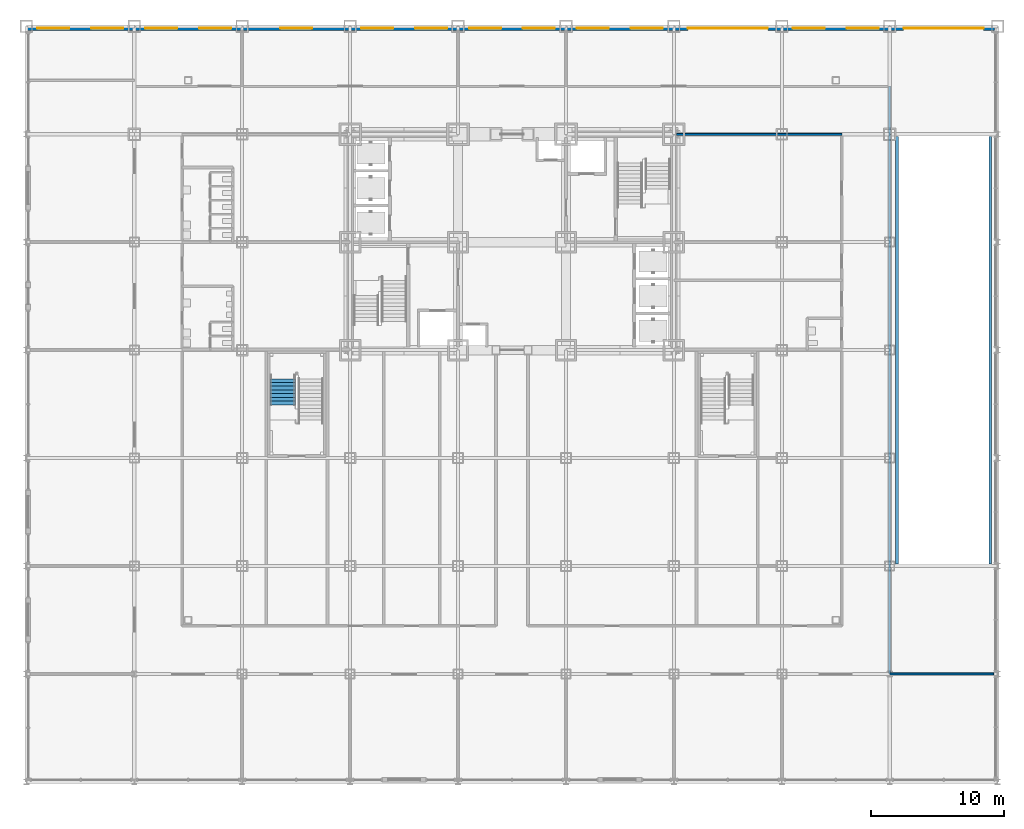
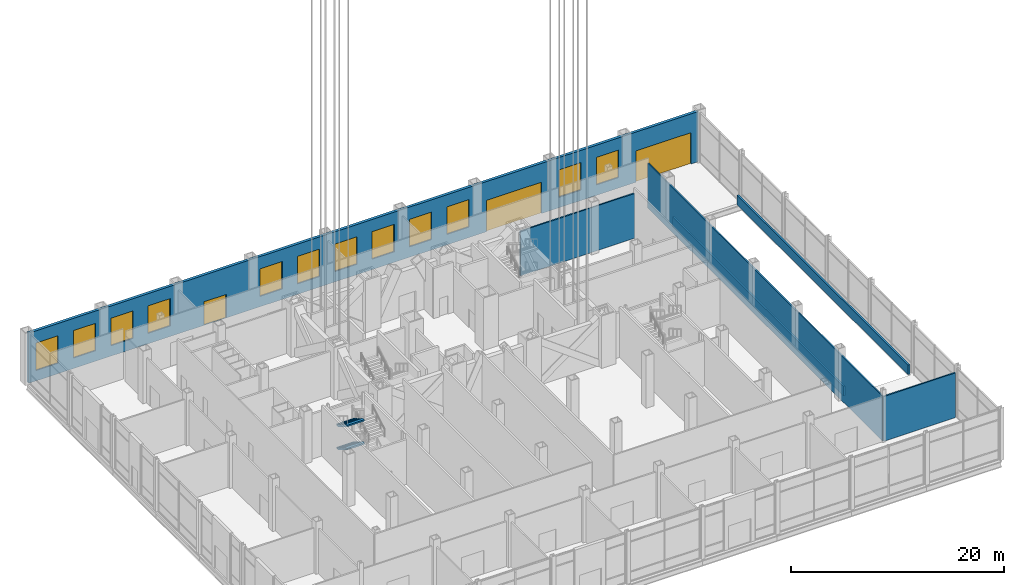
# One storey, part 26 of 35: 12 windows, 6 walls, 3 doors, 2 stair flights, 15 openings, 1 element without a shape of its own.
"""IFC4 building model written with IfcOpenShell, lengths in metres."""

import ifcopenshell
import ifcopenshell.guid

model = None  # the IFC model being written
_history = None  # IfcOwnerHistory: only IFC2X3 demands one
_inside = {}  # id of a spatial element -> (the spatial element, [elements in it])
_under = {}  # id of a project, library or spatial element -> (it, [spatial elements below it])
_declared = {}  # id of a project -> (the project, [libraries it declares])
_typed = {}  # id of a type object -> (the type object, [elements of that type])
_made_of = {}  # id of a material, layer set ... -> (it, [elements and type objects made of it])


def new_model(schema):
    """Start an empty IFC model of exactly this schema.

    Asked for "IFC4X3", IfcOpenShell would pick the latest addendum, in which some entities
    have other attributes; the version numbers below select the first issue.
    IFC2X3 requires an IfcOwnerHistory on every rooted entity: one is made here for all.
    """
    global model, _history
    if schema == "IFC4X3":
        model = ifcopenshell.file(schema_version=(4, 3, 0, 0))
    else:
        model = ifcopenshell.file(schema=schema)
    _inside.clear()
    _under.clear()
    _declared.clear()
    _typed.clear()
    _made_of.clear()
    _history = None
    if model.schema == "IFC2X3":
        org = make("IfcOrganization", Name="unknown")
        user = make(
            "IfcPersonAndOrganization",
            ThePerson=make("IfcPerson", FamilyName="unknown"),
            TheOrganization=org,
        )
        app = make(
            "IfcApplication",
            ApplicationDeveloper=org,
            Version="unknown",
            ApplicationFullName="unknown",
            ApplicationIdentifier="unknown",
        )
        _history = make(
            "IfcOwnerHistory",
            OwningUser=user,
            OwningApplication=app,
            ChangeAction="ADDED",
            CreationDate=0,
        )
    return model


def make(cls, **values):
    """One entity of the class cls with the attributes given. An attribute that is None is left unset."""
    return model.create_entity(
        cls, **{name: value for name, value in values.items() if value is not None}
    )


def rooted(cls, **values):
    """An entity with a GlobalId (a new one), such as an element, a storey or a relation."""
    return make(cls, GlobalId=ifcopenshell.guid.new(), OwnerHistory=_history, **values)


def si_unit(unit_type, name, prefix=None):
    """IfcSIUnit, for example si_unit("LENGTHUNIT", "METRE", prefix="MILLI")."""
    return make("IfcSIUnit", UnitType=unit_type, Prefix=prefix, Name=name)


def assignment(units):
    """IfcUnitAssignment: the units of a project."""
    return None if units is None else make("IfcUnitAssignment", Units=units)


def point(xyz):
    """IfcCartesianPoint."""
    return None if xyz is None else make("IfcCartesianPoint", Coordinates=xyz)


def direction(xyz):
    """IfcDirection."""
    return None if xyz is None else make("IfcDirection", DirectionRatios=xyz)


def frame(location, z_axis=None, x_axis=None):
    """IfcAxis2Placement3D, a coordinate frame: its origin and axes. An axis left out is left unset."""
    return make(
        "IfcAxis2Placement3D",
        Location=point(location),
        Axis=direction(z_axis),
        RefDirection=direction(x_axis),
    )


def frame_2d(location, x_axis=None):
    """IfcAxis2Placement2D, a coordinate frame in the plane: its origin and x axis."""
    return make(
        "IfcAxis2Placement2D", Location=point(location), RefDirection=direction(x_axis)
    )


def origin():
    """The frame at (0, 0, 0) with its axes left unset."""
    return frame((0.0, 0.0, 0.0))


def place(relative_to, where):
    """IfcLocalPlacement: puts the frame where relative to a parent placement (None: the world)."""
    return make(
        "IfcLocalPlacement", PlacementRelTo=relative_to, RelativePlacement=where
    )


def context(
    kind, dimensions, precision=None, world=None, true_north=None, identifier=None
):
    """IfcGeometricRepresentationContext, for example the 3D "Model" context."""
    return make(
        "IfcGeometricRepresentationContext",
        ContextIdentifier=identifier,
        ContextType=kind,
        CoordinateSpaceDimension=dimensions,
        Precision=precision,
        WorldCoordinateSystem=world,
        TrueNorth=true_north,
    )


def subcontext(parent, identifier, kind, view, scale=None):
    """IfcGeometricRepresentationSubContext, for example "Body" below "Model"."""
    return make(
        "IfcGeometricRepresentationSubContext",
        ContextIdentifier=identifier,
        ContextType=kind,
        ParentContext=parent,
        TargetScale=scale,
        TargetView=view,
    )


def project(units=None, contexts=None):
    """IfcProject with its units and contexts."""
    return rooted(
        "IfcProject",
        Name="project",
        RepresentationContexts=contexts,
        UnitsInContext=assignment(units),
    )


def spatial(cls, under=None, at=None, **own):
    """A site, building, storey or space (cls), placed at a placement, below another one or the project."""
    s = rooted(cls, ObjectPlacement=at, **own)
    if under is not None:
        _under.setdefault(under.id(), (under, []))[1].append(s)
    return s


def point_list(points):
    """IfcCartesianPointList2D or 3D."""
    cls = (
        "IfcCartesianPointList2D" if len(points[0]) == 2 else "IfcCartesianPointList3D"
    )
    return make(cls, CoordList=points)


def profile(cls, at=None, kind="AREA", **sizes):
    """A parametric profile (cls). Its sizes go by their IFC names, for example OverallWidth=200.0."""
    return make(cls, ProfileType=kind, Position=at, **sizes)


def rectangle(**sizes):
    """IfcRectangleProfileDef."""
    return profile("IfcRectangleProfileDef", **sizes)


def extrude(swept, where, along, depth):
    """IfcExtrudedAreaSolid: the profile swept, set in the frame where, extruded along a direction by depth."""
    return make(
        "IfcExtrudedAreaSolid",
        SweptArea=swept,
        Position=where,
        ExtrudedDirection=direction(along),
        Depth=depth,
    )


def polygons(points, faces, closed=None, point_numbers=None):
    """IfcPolygonalFaceSet: a face is its outer loop, then its inner loops; points numbered from 1."""
    made = []
    for loops in faces:
        if len(loops) == 1:
            made.append(make("IfcIndexedPolygonalFace", CoordIndex=loops[0]))
        else:
            made.append(
                make(
                    "IfcIndexedPolygonalFaceWithVoids",
                    CoordIndex=loops[0],
                    InnerCoordIndices=loops[1:],
                )
            )
    return make(
        "IfcPolygonalFaceSet",
        Coordinates=point_list(points),
        Closed=closed,
        Faces=made,
        PnIndex=point_numbers,
    )


def shape(context_of_items, identifier, shape_type, items):
    """IfcShapeRepresentation: the items that make up one representation, for example the "Body"."""
    return make(
        "IfcShapeRepresentation",
        ContextOfItems=context_of_items,
        RepresentationIdentifier=identifier,
        RepresentationType=shape_type,
        Items=items,
    )


def source(mapping_origin, context_of_items, identifier, shape_type, items):
    """IfcRepresentationMap: a shape defined once, which mapped items show again and again."""
    return make(
        "IfcRepresentationMap",
        MappingOrigin=mapping_origin,
        MappedRepresentation=shape(context_of_items, identifier, shape_type, items),
    )


def transform(
    local_origin,
    x_axis=None,
    y_axis=None,
    z_axis=None,
    scale=None,
    scale2=None,
    scale3=None,
    uniform=True,
):
    """IfcCartesianTransformationOperator3D, or its non-uniform kind. x_axis, y_axis, z_axis: its Axis1, 2, 3."""
    if uniform:
        return make(
            "IfcCartesianTransformationOperator3D",
            Axis1=direction(x_axis),
            Axis2=direction(y_axis),
            LocalOrigin=point(local_origin),
            Scale=scale,
            Axis3=direction(z_axis),
        )
    return make(
        "IfcCartesianTransformationOperator3DnonUniform",
        Axis1=direction(x_axis),
        Axis2=direction(y_axis),
        LocalOrigin=point(local_origin),
        Scale=scale,
        Axis3=direction(z_axis),
        Scale2=scale2,
        Scale3=scale3,
    )


def mapped(mapping_source, mapping_target):
    """IfcMappedItem: shows the shape of a source again, moved by a transform."""
    return make(
        "IfcMappedItem", MappingSource=mapping_source, MappingTarget=mapping_target
    )


def material(Name=None, Category=None):
    """IfcMaterial."""
    return make("IfcMaterial", Name=Name, Category=Category)


def layer(
    of_material, thickness, ventilated=None, Name=None, Category=None, Priority=None
):
    """IfcMaterialLayer: one layer of a wall or slab, of a material (None: an air gap)."""
    return make(
        "IfcMaterialLayer",
        Material=of_material,
        LayerThickness=thickness,
        IsVentilated=ventilated,
        Name=Name,
        Category=Category,
        Priority=Priority,
    )


def layer_set(layers, Name=None):
    """IfcMaterialLayerSet."""
    return make("IfcMaterialLayerSet", MaterialLayers=layers, LayerSetName=Name)


def made_of(thing, what):
    """Note that an element or type object is made of a material, layer set ...; save() writes the relation."""
    if what is not None:
        _made_of.setdefault(what.id(), (what, []))[1].append(thing)
    return thing


def type_object(cls, material=None, **own):
    """A type object (cls), such as IfcWallType, which elements share."""
    return made_of(rooted(cls, **own), material)


def element(
    cls,
    number,
    at=None,
    inside=None,
    cuts=None,
    type_object=None,
    material=None,
    context=None,
    identifier="Body",
    shape_type=None,
    held_by="IfcProductDefinitionShape",
    body=None,
    shapes=None,
    **own,
):
    """One element of the class cls, such as IfcWall. Its Tag is "e" and its number.

    at: its placement. inside: the storey or other place that contains it. cuts: it is an
    opening in that element (IfcRelVoidsElement). A single representation is given by context,
    identifier, shape_type and body (its items); several are given by shapes. held_by: the class
    of the entity that holds the representations. save() writes the other relations.
    """
    e = rooted(cls, Tag="e%d" % number, ObjectPlacement=at, **own)
    if body is not None:
        shapes = [shape(context, identifier, shape_type, body)]
    if shapes is not None:
        e.Representation = make(held_by, Representations=shapes)
    if inside is not None:
        _inside.setdefault(inside.id(), (inside, []))[1].append(e)
    if cuts is not None:
        rooted(
            "IfcRelVoidsElement", RelatingBuildingElement=cuts, RelatedOpeningElement=e
        )
    if type_object is not None:
        _typed.setdefault(type_object.id(), (type_object, []))[1].append(e)
    return made_of(e, material)


def fill(opening, filler):
    """IfcRelFillsElement: the door or window that sits in an opening."""
    return rooted(
        "IfcRelFillsElement",
        RelatingOpeningElement=opening,
        RelatedBuildingElement=filler,
    )


def aggregate(whole, parts):
    """IfcRelAggregates: a whole, such as a stair, and the parts it consists of."""
    return rooted("IfcRelAggregates", RelatingObject=whole, RelatedObjects=parts)


def save(model, path):
    """Write the relations noted so far, then the file.

    IfcRelAggregates (storeys below a building ...), IfcRelContainedInSpatialStructure (elements
    in a storey), IfcRelDefinesByType, IfcRelAssociatesMaterial and IfcRelDeclares: one each for
    every whole, place, type object, material and project.
    """
    for whole, parts in _under.values():
        aggregate(whole, parts)
    for where, things in _inside.values():
        rooted(
            "IfcRelContainedInSpatialStructure",
            RelatedElements=things,
            RelatingStructure=where,
        )
    for kind, things in _typed.values():
        rooted("IfcRelDefinesByType", RelatedObjects=things, RelatingType=kind)
    for what, things in _made_of.values():
        rooted("IfcRelAssociatesMaterial", RelatedObjects=things, RelatingMaterial=what)
    for by, libraries in _declared.values():
        rooted("IfcRelDeclares", RelatingContext=by, RelatedDefinitions=libraries)
    model.write(path)


model = new_model("IFC4")

# Units and contexts
model_context = context("Model", 3, precision=1e-05, world=origin(), true_north=direction((0.0, 1.0)))
body_context = subcontext(model_context, "Body", "Model", "MODEL_VIEW")
ifc_project = project(units=[si_unit("LENGTHUNIT", "METRE"), si_unit("AREAUNIT", "SQUARE_METRE"), si_unit("VOLUMEUNIT", "CUBIC_METRE"), si_unit("PLANEANGLEUNIT", "RADIAN"), si_unit("MASSUNIT", "GRAM", prefix="KILO")], contexts=[model_context])

# Site, building, storey
site_placement = place(None, origin())
site = spatial("IfcSite", under=ifc_project, at=site_placement, CompositionType="ELEMENT")
building_placement = place(site_placement, origin())
building = spatial("IfcBuilding", under=site, at=building_placement, Name="Kopane Lantern Tower", CompositionType="ELEMENT")
storey_placement = place(building_placement, origin())
storey = spatial("IfcBuildingStorey", under=building, at=storey_placement, Name="L00", CompositionType="ELEMENT", Elevation=0.0)

# Walls
ifc_material_1 = material(Name="Gypsum board on steel studs", Category="steel")
ifc_layer_1 = layer(ifc_material_1, 0.14990234375)
ifc_layer_set_1 = layer_set([ifc_layer_1], Name="CORRIDOR WALL 150 EI 60")
wall_type_1 = type_object("IfcWallType", Name="CORRIDOR WALL 150 EI 60", PredefinedType="PARTITIONING", material=ifc_layer_set_1)
wall_1_placement = place(storey_placement, frame((56.699951171875, 0.0, 0.0), z_axis=(0.0, 0.0, 1.0), x_axis=(0.0, 1.0, 0.0)))
element("IfcWall", 1, at=wall_1_placement, inside=storey, type_object=wall_type_1, Name="Corridor Wall 150 Ei 60 L00", PredefinedType="PARTITIONING", context=body_context, shape_type="SweptSolid", body=[
    extrude(rectangle(XDim=44.10009765625, YDim=0.14990234375, at=frame_2d((22.050048828125, 0.0))), origin(), (0.0, 0.0, 1.0), 5.1376953125),
])
wall_2_placement = place(storey_placement, frame((53.10009765625, 40.5, 0.0), z_axis=(0.0, 0.0, 1.0), x_axis=(-1.0, 0.0, 0.0)))
element("IfcWall", 2, at=wall_2_placement, inside=storey, type_object=wall_type_1, Name="Corridor Wall 150 Ei 60 L00", PredefinedType="PARTITIONING", context=body_context, shape_type="SweptSolid", body=[
    extrude(rectangle(XDim=12.400146484375, YDim=0.14990234375, at=frame_2d((6.2001953125, 0.0))), origin(), (0.0, 0.0, 1.0), 5.1376953125),
])
ifc_material_2 = material(Name="Gypsum board on steel studs", Category="steel")
ifc_layer_2 = layer(ifc_material_2, 0.14990234375)
ifc_layer_set_2 = layer_set([ifc_layer_2], Name="DEMISING WALL 150 EI 60")
wall_type_2 = type_object("IfcWallType", Name="DEMISING WALL 150 EI 60", PredefinedType="PARTITIONING", material=ifc_layer_set_2)
wall_3_placement = place(storey_placement, frame((56.699951171875, 0.0, 0.0), z_axis=(0.0, 0.0, 1.0), x_axis=(1.0, 0.0, 0.0)))
element("IfcWall", 3, at=wall_3_placement, inside=storey, type_object=wall_type_2, Name="Demising Wall 150 Ei 60 L00", PredefinedType="PARTITIONING", context=body_context, shape_type="SweptSolid", body=[
    extrude(rectangle(XDim=7.800048828125, YDim=0.14990234375, at=frame_2d((3.89990234375, 0.0))), origin(), (0.0, 0.0, 1.0), 5.1376953125),
])

# Wall, openings, doors, windows
ifc_material_3 = material(Name="Terracotta rainscreen on light steel framing", Category="masonry")
ifc_layer_3 = layer(ifc_material_3, 0.300048828125)
ifc_layer_set_3 = layer_set([ifc_layer_3], Name="EXTERNAL WALL EW1 300 TERRACOTTA")
wall_type_3 = type_object("IfcWallType", Name="EXTERNAL WALL EW1 300 TERRACOTTA", PredefinedType="SOLIDWALL", material=ifc_layer_set_3)
wall_4_placement = place(storey_placement, frame((64.550048828125, 48.449951171875, 0.0), z_axis=(0.0, 0.0, 1.0), x_axis=(-1.0, 0.0, 0.0)))
wall_4 = element("IfcWall", 4, at=wall_4_placement, inside=storey, type_object=wall_type_3, Name="External wall N L00", PredefinedType="SOLIDWALL", context=body_context, shape_type="SweptSolid", body=[
    extrude(rectangle(XDim=72.650146484375, YDim=0.300048828125, at=frame_2d((36.3251953125, 0.0))), origin(), (0.0, 0.0, 1.0), 5.75),
])
opening_1_placement = place(wall_4_placement, frame((51.199951171875, 0.0, 0.0)))
opening_1 = element("IfcOpeningElement", 5, at=opening_1_placement, cuts=wall_4, Name="Opening L00-E07", PredefinedType="OPENING", context=body_context, shape_type="SweptSolid", body=[
    extrude(rectangle(XDim=2.39990234375, YDim=2.699951171875, at=frame_2d((1.199951171875, 1.35009765625))), frame((0.0, 0.159912109375, 0.0), z_axis=(0.0, -1.0, 0.0), x_axis=(1.0, 0.0, 0.0)), (0.0, 0.0, 1.0), 0.320068359375),
])
opening_2_placement = place(wall_4_placement, frame((17.0, 0.0, 0.0)))
opening_2 = element("IfcOpeningElement", 6, at=opening_2_placement, cuts=wall_4, Name="Opening L00-E08", PredefinedType="OPENING", context=body_context, shape_type="SweptSolid", body=[
    extrude(rectangle(XDim=6.0, YDim=3.60009765625, at=frame_2d((3.0, 1.800048828125))), frame((0.0, 0.159912109375, 0.0), z_axis=(0.0, -1.0, 0.0), x_axis=(1.0, 0.0, 0.0)), (0.0, 0.0, 1.0), 0.320068359375),
])
opening_3_placement = place(wall_4_placement, frame((0.800048828125, 0.0, 0.0)))
opening_3 = element("IfcOpeningElement", 7, at=opening_3_placement, cuts=wall_4, Name="Opening L00-E09", PredefinedType="OPENING", context=body_context, shape_type="SweptSolid", body=[
    extrude(rectangle(XDim=6.0, YDim=3.60009765625, at=frame_2d((3.0, 1.800048828125))), frame((0.0, 0.159912109375, 0.0), z_axis=(0.0, -1.0, 0.0), x_axis=(1.0, 0.0, 0.0)), (0.0, 0.0, 1.0), 0.320068359375),
])
opening_4_placement = place(wall_4_placement, frame((8.675048828125, 0.0, 1.199951171875)))
opening_4 = element("IfcOpeningElement", 8, at=opening_4_placement, cuts=wall_4, Name="Opening WP240315", PredefinedType="OPENING", context=body_context, shape_type="SweptSolid", body=[
    extrude(rectangle(XDim=2.39990234375, YDim=3.14990234375, at=frame_2d((1.199951171875, 1.574951171875))), frame((0.0, 0.159912109375, 0.0), z_axis=(0.0, -1.0, 0.0), x_axis=(1.0, 0.0, 0.0)), (0.0, 0.0, 1.0), 0.320068359375),
])
opening_5_placement = place(wall_4_placement, frame((12.72509765625, 0.0, 1.199951171875)))
opening_5 = element("IfcOpeningElement", 9, at=opening_5_placement, cuts=wall_4, Name="Opening WP240315", PredefinedType="OPENING", context=body_context, shape_type="SweptSolid", body=[
    extrude(rectangle(XDim=2.39990234375, YDim=3.14990234375, at=frame_2d((1.199951171875, 1.574951171875))), frame((0.0, 0.159912109375, 0.0), z_axis=(0.0, -1.0, 0.0), x_axis=(1.0, 0.0, 0.0)), (0.0, 0.0, 1.0), 0.320068359375),
])
opening_6_placement = place(wall_4_placement, frame((24.875, 0.0, 1.199951171875)))
opening_6 = element("IfcOpeningElement", 10, at=opening_6_placement, cuts=wall_4, Name="Opening WP240315", PredefinedType="OPENING", context=body_context, shape_type="SweptSolid", body=[
    extrude(rectangle(XDim=2.39990234375, YDim=3.14990234375, at=frame_2d((1.199951171875, 1.574951171875))), frame((0.0, 0.159912109375, 0.0), z_axis=(0.0, -1.0, 0.0), x_axis=(1.0, 0.0, 0.0)), (0.0, 0.0, 1.0), 0.320068359375),
])
opening_7_placement = place(wall_4_placement, frame((28.925048828125, 0.0, 1.199951171875)))
opening_7 = element("IfcOpeningElement", 11, at=opening_7_placement, cuts=wall_4, Name="Opening WP240315", PredefinedType="OPENING", context=body_context, shape_type="SweptSolid", body=[
    extrude(rectangle(XDim=2.39990234375, YDim=3.14990234375, at=frame_2d((1.199951171875, 1.574951171875))), frame((0.0, 0.159912109375, 0.0), z_axis=(0.0, -1.0, 0.0), x_axis=(1.0, 0.0, 0.0)), (0.0, 0.0, 1.0), 0.320068359375),
])
opening_8_placement = place(wall_4_placement, frame((32.97509765625, 0.0, 1.199951171875)))
opening_8 = element("IfcOpeningElement", 12, at=opening_8_placement, cuts=wall_4, Name="Opening WP240315", PredefinedType="OPENING", context=body_context, shape_type="SweptSolid", body=[
    extrude(rectangle(XDim=2.39990234375, YDim=3.14990234375, at=frame_2d((1.199951171875, 1.574951171875))), frame((0.0, 0.159912109375, 0.0), z_axis=(0.0, -1.0, 0.0), x_axis=(1.0, 0.0, 0.0)), (0.0, 0.0, 1.0), 0.320068359375),
])
opening_9_placement = place(wall_4_placement, frame((37.02490234375, 0.0, 1.199951171875)))
opening_9 = element("IfcOpeningElement", 13, at=opening_9_placement, cuts=wall_4, Name="Opening WP240315", PredefinedType="OPENING", context=body_context, shape_type="SweptSolid", body=[
    extrude(rectangle(XDim=2.39990234375, YDim=3.14990234375, at=frame_2d((1.199951171875, 1.574951171875))), frame((0.0, 0.159912109375, 0.0), z_axis=(0.0, -1.0, 0.0), x_axis=(1.0, 0.0, 0.0)), (0.0, 0.0, 1.0), 0.320068359375),
])
opening_10_placement = place(wall_4_placement, frame((41.074951171875, 0.0, 1.199951171875)))
opening_10 = element("IfcOpeningElement", 14, at=opening_10_placement, cuts=wall_4, Name="Opening WP240315", PredefinedType="OPENING", context=body_context, shape_type="SweptSolid", body=[
    extrude(rectangle(XDim=2.39990234375, YDim=3.14990234375, at=frame_2d((1.199951171875, 1.574951171875))), frame((0.0, 0.159912109375, 0.0), z_axis=(0.0, -1.0, 0.0), x_axis=(1.0, 0.0, 0.0)), (0.0, 0.0, 1.0), 0.320068359375),
])
opening_11_placement = place(wall_4_placement, frame((45.125, 0.0, 1.199951171875)))
opening_11 = element("IfcOpeningElement", 15, at=opening_11_placement, cuts=wall_4, Name="Opening WP240315", PredefinedType="OPENING", context=body_context, shape_type="SweptSolid", body=[
    extrude(rectangle(XDim=2.39990234375, YDim=3.14990234375, at=frame_2d((1.199951171875, 1.574951171875))), frame((0.0, 0.159912109375, 0.0), z_axis=(0.0, -1.0, 0.0), x_axis=(1.0, 0.0, 0.0)), (0.0, 0.0, 1.0), 0.320068359375),
])
opening_12_placement = place(wall_4_placement, frame((57.27490234375, 0.0, 1.199951171875)))
opening_12 = element("IfcOpeningElement", 16, at=opening_12_placement, cuts=wall_4, Name="Opening WP240315", PredefinedType="OPENING", context=body_context, shape_type="SweptSolid", body=[
    extrude(rectangle(XDim=2.39990234375, YDim=3.14990234375, at=frame_2d((1.199951171875, 1.574951171875))), frame((0.0, 0.159912109375, 0.0), z_axis=(0.0, -1.0, 0.0), x_axis=(1.0, 0.0, 0.0)), (0.0, 0.0, 1.0), 0.320068359375),
])
opening_13_placement = place(wall_4_placement, frame((61.324951171875, 0.0, 1.199951171875)))
opening_13 = element("IfcOpeningElement", 17, at=opening_13_placement, cuts=wall_4, Name="Opening WP240315", PredefinedType="OPENING", context=body_context, shape_type="SweptSolid", body=[
    extrude(rectangle(XDim=2.39990234375, YDim=3.14990234375, at=frame_2d((1.199951171875, 1.574951171875))), frame((0.0, 0.159912109375, 0.0), z_axis=(0.0, -1.0, 0.0), x_axis=(1.0, 0.0, 0.0)), (0.0, 0.0, 1.0), 0.320068359375),
])
opening_14_placement = place(wall_4_placement, frame((65.375, 0.0, 1.199951171875)))
opening_14 = element("IfcOpeningElement", 18, at=opening_14_placement, cuts=wall_4, Name="Opening WP240315", PredefinedType="OPENING", context=body_context, shape_type="SweptSolid", body=[
    extrude(rectangle(XDim=2.39990234375, YDim=3.14990234375, at=frame_2d((1.199951171875, 1.574951171875))), frame((0.0, 0.159912109375, 0.0), z_axis=(0.0, -1.0, 0.0), x_axis=(1.0, 0.0, 0.0)), (0.0, 0.0, 1.0), 0.320068359375),
])
opening_15_placement = place(wall_4_placement, frame((69.425048828125, 0.0, 1.199951171875)))
opening_15 = element("IfcOpeningElement", 19, at=opening_15_placement, cuts=wall_4, Name="Opening WP240315", PredefinedType="OPENING", context=body_context, shape_type="SweptSolid", body=[
    extrude(rectangle(XDim=2.39990234375, YDim=3.14990234375, at=frame_2d((1.199951171875, 1.574951171875))), frame((0.0, 0.159912109375, 0.0), z_axis=(0.0, -1.0, 0.0), x_axis=(1.0, 0.0, 0.0)), (0.0, 0.0, 1.0), 0.320068359375),
])
ifc_material_4 = material(Name="Aluminium and clear glass door set", Category="aluminium")
door_type_1 = type_object("IfcDoorType", Name="ENTRANCE DOOR ED2427 2400x2700", OperationType="DOUBLE_DOOR_SINGLE_SWING", PredefinedType="DOOR", material=ifc_material_4)
door_1_placement = place(opening_1_placement, origin())
door_1 = element("IfcDoor", 20, at=door_1_placement, inside=storey, type_object=door_type_1, Name="Door L00-E07", OperationType="DOUBLE_DOOR_SINGLE_SWING", OverallHeight=2.699951171875, OverallWidth=2.39990234375, PredefinedType="DOOR", context=body_context, shape_type="SweptSolid", body=[
    extrude(rectangle(XDim=2.39990234375, YDim=2.699951171875, at=frame_2d((1.199951171875, 1.35009765625))), frame((0.0, 0.02490234375, 0.0), z_axis=(0.0, -1.0, 0.0), x_axis=(1.0, 0.0, 0.0)), (0.0, 0.0, 1.0), 0.050048828125),
])
fill(opening_1, door_1)
ifc_material_5 = material(Name="Steel roller shutter", Category="steel")
door_type_2 = type_object("IfcDoorType", Name="ROLLER SHUTTER ED6036 6000x3600", OperationType="ROLLINGUP", PredefinedType="DOOR", material=ifc_material_5)
door_2_placement = place(opening_2_placement, origin())
door_2 = element("IfcDoor", 21, at=door_2_placement, inside=storey, type_object=door_type_2, Name="Door L00-E08", OperationType="ROLLINGUP", OverallHeight=3.60009765625, OverallWidth=6.0, PredefinedType="DOOR", context=body_context, shape_type="SweptSolid", body=[
    extrude(rectangle(XDim=6.0, YDim=3.60009765625, at=frame_2d((3.0, 1.800048828125))), frame((0.0, 0.02490234375, 0.0), z_axis=(0.0, -1.0, 0.0), x_axis=(1.0, 0.0, 0.0)), (0.0, 0.0, 1.0), 0.050048828125),
])
fill(opening_2, door_2)
door_3_placement = place(opening_3_placement, origin())
door_3 = element("IfcDoor", 22, at=door_3_placement, inside=storey, type_object=door_type_2, Name="Door L00-E09", OperationType="ROLLINGUP", OverallHeight=3.60009765625, OverallWidth=6.0, PredefinedType="DOOR", context=body_context, shape_type="SweptSolid", body=[
    extrude(rectangle(XDim=6.0, YDim=3.60009765625, at=frame_2d((3.0, 1.800048828125))), frame((0.0, 0.02490234375, 0.0), z_axis=(0.0, -1.0, 0.0), x_axis=(1.0, 0.0, 0.0)), (0.0, 0.0, 1.0), 0.050048828125),
])
fill(opening_3, door_3)
ifc_material_6 = material(Name="Aluminium and clear glass", Category="aluminium")
window_type = type_object("IfcWindowType", Name="WINDOW WP240315 2400x3150", PartitioningType="SINGLE_PANEL", PredefinedType="WINDOW", material=ifc_material_6)
window_1_placement = place(opening_4_placement, origin())
window_1 = element("IfcWindow", 23, at=window_1_placement, inside=storey, type_object=window_type, Name="Window N L00", OverallHeight=3.14990234375, OverallWidth=2.39990234375, PartitioningType="SINGLE_PANEL", PredefinedType="WINDOW", context=body_context, shape_type="SweptSolid", body=[
    extrude(rectangle(XDim=2.39990234375, YDim=3.14990234375, at=frame_2d((1.199951171875, 1.574951171875))), frame((0.0, 0.030029296875, 0.0), z_axis=(0.0, -1.0, 0.0), x_axis=(1.0, 0.0, 0.0)), (0.0, 0.0, 1.0), 0.06005859375),
])
fill(opening_4, window_1)
window_2_placement = place(opening_5_placement, origin())
window_2 = element("IfcWindow", 24, at=window_2_placement, inside=storey, type_object=window_type, Name="Window N L00", OverallHeight=3.14990234375, OverallWidth=2.39990234375, PartitioningType="SINGLE_PANEL", PredefinedType="WINDOW", context=body_context, shape_type="SweptSolid", body=[
    extrude(rectangle(XDim=2.39990234375, YDim=3.14990234375, at=frame_2d((1.199951171875, 1.574951171875))), frame((0.0, 0.030029296875, 0.0), z_axis=(0.0, -1.0, 0.0), x_axis=(1.0, 0.0, 0.0)), (0.0, 0.0, 1.0), 0.06005859375),
])
fill(opening_5, window_2)
window_3_placement = place(opening_6_placement, origin())
window_3 = element("IfcWindow", 25, at=window_3_placement, inside=storey, type_object=window_type, Name="Window N L00", OverallHeight=3.14990234375, OverallWidth=2.39990234375, PartitioningType="SINGLE_PANEL", PredefinedType="WINDOW", context=body_context, shape_type="SweptSolid", body=[
    extrude(rectangle(XDim=2.39990234375, YDim=3.14990234375, at=frame_2d((1.199951171875, 1.574951171875))), frame((0.0, 0.030029296875, 0.0), z_axis=(0.0, -1.0, 0.0), x_axis=(1.0, 0.0, 0.0)), (0.0, 0.0, 1.0), 0.06005859375),
])
fill(opening_6, window_3)
window_4_placement = place(opening_7_placement, origin())
window_4 = element("IfcWindow", 26, at=window_4_placement, inside=storey, type_object=window_type, Name="Window N L00", OverallHeight=3.14990234375, OverallWidth=2.39990234375, PartitioningType="SINGLE_PANEL", PredefinedType="WINDOW", context=body_context, shape_type="SweptSolid", body=[
    extrude(rectangle(XDim=2.39990234375, YDim=3.14990234375, at=frame_2d((1.199951171875, 1.574951171875))), frame((0.0, 0.030029296875, 0.0), z_axis=(0.0, -1.0, 0.0), x_axis=(1.0, 0.0, 0.0)), (0.0, 0.0, 1.0), 0.06005859375),
])
fill(opening_7, window_4)
window_5_placement = place(opening_8_placement, origin())
window_5 = element("IfcWindow", 27, at=window_5_placement, inside=storey, type_object=window_type, Name="Window N L00", OverallHeight=3.14990234375, OverallWidth=2.39990234375, PartitioningType="SINGLE_PANEL", PredefinedType="WINDOW", context=body_context, shape_type="SweptSolid", body=[
    extrude(rectangle(XDim=2.39990234375, YDim=3.14990234375, at=frame_2d((1.199951171875, 1.574951171875))), frame((0.0, 0.030029296875, 0.0), z_axis=(0.0, -1.0, 0.0), x_axis=(1.0, 0.0, 0.0)), (0.0, 0.0, 1.0), 0.06005859375),
])
fill(opening_8, window_5)
window_6_placement = place(opening_9_placement, origin())
window_6 = element("IfcWindow", 28, at=window_6_placement, inside=storey, type_object=window_type, Name="Window N L00", OverallHeight=3.14990234375, OverallWidth=2.39990234375, PartitioningType="SINGLE_PANEL", PredefinedType="WINDOW", context=body_context, shape_type="SweptSolid", body=[
    extrude(rectangle(XDim=2.39990234375, YDim=3.14990234375, at=frame_2d((1.199951171875, 1.574951171875))), frame((0.0, 0.030029296875, 0.0), z_axis=(0.0, -1.0, 0.0), x_axis=(1.0, 0.0, 0.0)), (0.0, 0.0, 1.0), 0.06005859375),
])
fill(opening_9, window_6)
window_7_placement = place(opening_10_placement, origin())
window_7 = element("IfcWindow", 29, at=window_7_placement, inside=storey, type_object=window_type, Name="Window N L00", OverallHeight=3.14990234375, OverallWidth=2.39990234375, PartitioningType="SINGLE_PANEL", PredefinedType="WINDOW", context=body_context, shape_type="SweptSolid", body=[
    extrude(rectangle(XDim=2.39990234375, YDim=3.14990234375, at=frame_2d((1.199951171875, 1.574951171875))), frame((0.0, 0.030029296875, 0.0), z_axis=(0.0, -1.0, 0.0), x_axis=(1.0, 0.0, 0.0)), (0.0, 0.0, 1.0), 0.06005859375),
])
fill(opening_10, window_7)
window_8_placement = place(opening_11_placement, origin())
window_8 = element("IfcWindow", 30, at=window_8_placement, inside=storey, type_object=window_type, Name="Window N L00", OverallHeight=3.14990234375, OverallWidth=2.39990234375, PartitioningType="SINGLE_PANEL", PredefinedType="WINDOW", context=body_context, shape_type="SweptSolid", body=[
    extrude(rectangle(XDim=2.39990234375, YDim=3.14990234375, at=frame_2d((1.199951171875, 1.574951171875))), frame((0.0, 0.030029296875, 0.0), z_axis=(0.0, -1.0, 0.0), x_axis=(1.0, 0.0, 0.0)), (0.0, 0.0, 1.0), 0.06005859375),
])
fill(opening_11, window_8)
window_9_placement = place(opening_12_placement, origin())
window_9 = element("IfcWindow", 31, at=window_9_placement, inside=storey, type_object=window_type, Name="Window N L00", OverallHeight=3.14990234375, OverallWidth=2.39990234375, PartitioningType="SINGLE_PANEL", PredefinedType="WINDOW", context=body_context, shape_type="SweptSolid", body=[
    extrude(rectangle(XDim=2.39990234375, YDim=3.14990234375, at=frame_2d((1.199951171875, 1.574951171875))), frame((0.0, 0.030029296875, 0.0), z_axis=(0.0, -1.0, 0.0), x_axis=(1.0, 0.0, 0.0)), (0.0, 0.0, 1.0), 0.06005859375),
])
fill(opening_12, window_9)
window_10_placement = place(opening_13_placement, origin())
window_10 = element("IfcWindow", 32, at=window_10_placement, inside=storey, type_object=window_type, Name="Window N L00", OverallHeight=3.14990234375, OverallWidth=2.39990234375, PartitioningType="SINGLE_PANEL", PredefinedType="WINDOW", context=body_context, shape_type="SweptSolid", body=[
    extrude(rectangle(XDim=2.39990234375, YDim=3.14990234375, at=frame_2d((1.199951171875, 1.574951171875))), frame((0.0, 0.030029296875, 0.0), z_axis=(0.0, -1.0, 0.0), x_axis=(1.0, 0.0, 0.0)), (0.0, 0.0, 1.0), 0.06005859375),
])
fill(opening_13, window_10)
window_11_placement = place(opening_14_placement, origin())
window_11 = element("IfcWindow", 33, at=window_11_placement, inside=storey, type_object=window_type, Name="Window N L00", OverallHeight=3.14990234375, OverallWidth=2.39990234375, PartitioningType="SINGLE_PANEL", PredefinedType="WINDOW", context=body_context, shape_type="SweptSolid", body=[
    extrude(rectangle(XDim=2.39990234375, YDim=3.14990234375, at=frame_2d((1.199951171875, 1.574951171875))), frame((0.0, 0.030029296875, 0.0), z_axis=(0.0, -1.0, 0.0), x_axis=(1.0, 0.0, 0.0)), (0.0, 0.0, 1.0), 0.06005859375),
])
fill(opening_14, window_11)
window_12_placement = place(opening_15_placement, origin())
window_12 = element("IfcWindow", 34, at=window_12_placement, inside=storey, type_object=window_type, Name="Window N L00", OverallHeight=3.14990234375, OverallWidth=2.39990234375, PartitioningType="SINGLE_PANEL", PredefinedType="WINDOW", context=body_context, shape_type="SweptSolid", body=[
    extrude(rectangle(XDim=2.39990234375, YDim=3.14990234375, at=frame_2d((1.199951171875, 1.574951171875))), frame((0.0, 0.030029296875, 0.0), z_axis=(0.0, -1.0, 0.0), x_axis=(1.0, 0.0, 0.0)), (0.0, 0.0, 1.0), 0.06005859375),
])
fill(opening_15, window_12)

# Walls
ifc_material_7 = material(Name="Concrete C40/50", Category="concrete")
ifc_layer_4 = layer(ifc_material_7, 0.199951171875)
ifc_layer_set_4 = layer_set([ifc_layer_4], Name="Concrete C40/50")
wall_type_4 = type_object("IfcWallType", Name="RAMP SIDE WALL 200", PredefinedType="PARTITIONING", material=ifc_layer_set_4)
for number, where, z_axis, x_axis, name in (
    (35, (64.25, 8.25, 0.0), (0.0, 0.0, 1.0), (0.0, 1.0, 0.0), "Ramp side wall L00 L00"),
    (36, (57.25, 8.25, 0.0), (0.0, 0.0, 1.0), (0.0, 1.0, 0.0), "Ramp side wall L00 L00"),
):
    element("IfcWall", number, at=place(storey_placement, frame(where, z_axis=z_axis, x_axis=x_axis)), inside=storey, type_object=wall_type_4, Name=name, PredefinedType="PARTITIONING", context=body_context, shape_type="SweptSolid", body=[
        extrude(rectangle(XDim=32.10009765625, YDim=0.199951171875, at=frame_2d((16.050048828125, 0.0))), origin(), (0.0, 0.0, 1.0), 1.10009765625),
    ])

# Stair, stair flights
ifc_material_8 = material(Name="Steel S355JR", Category="steel")
stair_type = type_object("IfcStairType", Name="EXIT STAIR 1900 HALF TURN", PredefinedType="HALF_TURN_STAIR", material=ifc_material_8)
stair_placement = place(storey_placement, origin())
stair = element("IfcStair", 37, at=stair_placement, inside=storey, type_object=stair_type, Name="Exit stair ST3 L00", PredefinedType="HALF_TURN_STAIR")
ifc_material_9 = material(Name="Steel S355JR", Category="steel")
stair_flight_type = type_object("IfcStairFlightType", Name="STAIR FLIGHT 1900 STEEL", PredefinedType="STRAIGHT", material=ifc_material_9)
shared_shape = source(origin(), body_context, "Body", "Tessellation", [
    polygons([(1.959960938, 0.949951172, 1.166748047), (1.679931641, 0.949951172, 1.166748047), (1.679931641, -0.949951172, 1.166748047), (1.959960938, -0.949951172, 1.166748047), (0.29296875, 0.949951172, 0.0), (1.959960938, 0.949951172, 0.9921875), (1.959960938, -0.949951172, 0.9921875), (0.29296875, -0.949951172, 0.0), (0.0, 0.949951172, 0.0), (0.0, -0.949951172, 0.0), (0.280029297, 0.949951172, 0.166748047), (0.0, 0.949951172, 0.166748047), (0.0, -0.949951172, 0.166748047), (0.280029297, -0.949951172, 0.166748047), (0.280029297, 0.949951172, 0.333251953), (0.280029297, -0.949951172, 0.333251953), (0.560058594, 0.949951172, 0.333251953), (0.560058594, -0.949951172, 0.333251953), (0.560058594, 0.949951172, 0.5), (0.560058594, -0.949951172, 0.5), (0.840087891, 0.949951172, 0.5), (0.840087891, -0.949951172, 0.5), (0.840087891, 0.949951172, 0.666748047), (0.840087891, -0.949951172, 0.666748047), (1.120117188, 0.949951172, 0.666748047), (1.120117188, -0.949951172, 0.666748047), (1.120117188, 0.949951172, 0.833251953), (1.120117188, -0.949951172, 0.833251953), (1.399902344, 0.949951172, 0.833251953), (1.399902344, -0.949951172, 0.833251953), (1.399902344, 0.949951172, 1.0), (1.399902344, -0.949951172, 1.0), (1.679931641, 0.949951172, 1.0), (1.679931641, -0.949951172, 1.0), (0.0, 0.0, 0.004506704), (0.0, 0.0, 0.009013408), (0.0, 0.0, 0.013520112), (0.0, 0.0, 0.018026816), (0.0, 0.0, 0.02253352), (0.0, 0.0, 0.027040224), (0.0, 0.0, 0.031546928), (0.0, 0.0, 0.036053632), (0.0, 0.0, 0.040560336), (0.0, 0.0, 0.04506704), (0.0, 0.0, 0.049573744), (0.0, 0.0, 0.054080448), (0.0, 0.0, 0.058587152), (0.0, 0.0, 0.063093856), (0.0, 0.0, 0.06760056), (0.0, 0.0, 0.072107264), (0.0, 0.0, 0.076613967), (0.0, 0.0, 0.081120671), (0.0, 0.0, 0.085627375), (0.0, 0.0, 0.090134079), (0.0, 0.0, 0.094640783), (0.0, 0.0, 0.099147487), (0.0, 0.0, 0.103654191), (0.0, 0.0, 0.108160895), (0.0, 0.0, 0.112667599), (0.0, 0.0, 0.117174303), (0.0, 0.0, 0.121681007), (0.0, 0.0, 0.126187711), (0.0, 0.0, 0.130694415), (0.0, 0.0, 0.135201119), (0.0, 0.0, 0.139707823), (0.0, 0.0, 0.144214527), (0.0, 0.0, 0.148721231), (0.0, 0.0, 0.153227935), (0.0, 0.0, 0.157734639), (0.0, 0.0, 0.162241343), (1.959960938, 0.0, 0.996905353), (1.959960938, 0.0, 1.001623205), (1.959960938, 0.0, 1.006341058), (1.959960938, 0.0, 1.01105891), (1.959960938, 0.0, 1.015776763), (1.959960938, 0.0, 1.020494616), (1.959960938, 0.0, 1.025212468), (1.959960938, 0.0, 1.029930321), (1.959960938, 0.0, 1.034648174), (1.959960938, 0.0, 1.039366026), (1.959960938, 0.0, 1.044083879), (1.959960938, 0.0, 1.048801731), (1.959960938, 0.0, 1.053519584), (1.959960938, 0.0, 1.058237437), (1.959960938, 0.0, 1.062955289), (1.959960938, 0.0, 1.067673142), (1.959960938, 0.0, 1.072390995), (1.959960938, 0.0, 1.077108847), (1.959960938, 0.0, 1.0818267), (1.959960938, 0.0, 1.086544552), (1.959960938, 0.0, 1.091262405), (1.959960938, 0.0, 1.095980258), (1.959960938, 0.0, 1.10069811), (1.959960938, 0.0, 1.105415963), (1.959960938, 0.0, 1.110133815), (1.959960938, 0.0, 1.114851668), (1.959960938, 0.0, 1.119569521), (1.959960938, 0.0, 1.124287373), (1.959960938, 0.0, 1.129005226), (1.959960938, 0.0, 1.133723079), (1.959960938, 0.0, 1.138440931), (1.959960938, 0.0, 1.143158784), (1.959960938, 0.0, 1.147876636), (1.959960938, 0.0, 1.152594489), (1.959960938, 0.0, 1.157312342), (1.959960938, 0.0, 1.162030194)], [[[1, 2, 3]], [[1, 3, 4]], [[5, 6, 7]], [[5, 7, 8]], [[9, 5, 8]], [[9, 8, 10]], [[11, 12, 13]], [[11, 13, 14]], [[15, 11, 14]], [[15, 14, 16]], [[17, 15, 16]], [[17, 16, 18]], [[19, 17, 18]], [[19, 18, 20]], [[21, 19, 20]], [[21, 20, 22]], [[23, 21, 22]], [[23, 22, 24]], [[25, 23, 24]], [[25, 24, 26]], [[27, 25, 26]], [[27, 26, 28]], [[29, 27, 28]], [[29, 28, 30]], [[31, 29, 30]], [[31, 30, 32]], [[33, 31, 32]], [[33, 32, 34]], [[2, 33, 34]], [[2, 34, 3]], [[33, 1, 6]], [[29, 33, 6]], [[2, 1, 33]], [[25, 29, 6]], [[31, 33, 29]], [[5, 21, 25]], [[27, 29, 25]], [[17, 21, 5]], [[23, 25, 21]], [[11, 17, 5]], [[19, 21, 17]], [[9, 11, 5]], [[15, 17, 11]], [[12, 11, 9]], [[6, 5, 25]], [[7, 4, 34]], [[7, 34, 30]], [[34, 4, 3]], [[7, 30, 26]], [[30, 34, 32]], [[26, 22, 8]], [[26, 30, 28]], [[8, 22, 18]], [[22, 26, 24]], [[8, 18, 14]], [[18, 22, 20]], [[8, 14, 10]], [[14, 18, 16]], [[10, 14, 13]], [[26, 8, 7]], [[10, 35, 9]], [[10, 36, 35]], [[9, 35, 36]], [[10, 37, 36]], [[9, 36, 37]], [[10, 38, 37]], [[9, 37, 38]], [[10, 39, 38]], [[9, 38, 39]], [[10, 40, 39]], [[9, 39, 40]], [[10, 41, 40]], [[9, 40, 41]], [[10, 42, 41]], [[9, 41, 42]], [[10, 43, 42]], [[9, 42, 43]], [[10, 44, 43]], [[9, 43, 44]], [[10, 45, 44]], [[9, 44, 45]], [[10, 46, 45]], [[9, 45, 46]], [[10, 47, 46]], [[9, 46, 47]], [[10, 48, 47]], [[9, 47, 48]], [[10, 49, 48]], [[9, 48, 49]], [[10, 50, 49]], [[9, 49, 50]], [[10, 51, 50]], [[9, 50, 51]], [[10, 52, 51]], [[9, 51, 52]], [[10, 53, 52]], [[9, 52, 53]], [[10, 54, 53]], [[9, 53, 54]], [[10, 55, 54]], [[9, 54, 55]], [[10, 56, 55]], [[9, 55, 56]], [[10, 57, 56]], [[9, 56, 57]], [[10, 58, 57]], [[9, 57, 58]], [[10, 59, 58]], [[9, 58, 59]], [[10, 60, 59]], [[9, 59, 60]], [[10, 61, 60]], [[9, 60, 61]], [[10, 62, 61]], [[9, 61, 62]], [[10, 63, 62]], [[9, 62, 63]], [[10, 64, 63]], [[9, 63, 64]], [[10, 65, 64]], [[9, 64, 65]], [[10, 66, 65]], [[9, 65, 66]], [[10, 67, 66]], [[9, 66, 67]], [[10, 68, 67]], [[9, 67, 68]], [[10, 69, 68]], [[9, 68, 69]], [[10, 70, 69]], [[9, 69, 70]], [[10, 13, 70]], [[70, 13, 12]], [[9, 70, 12]], [[7, 6, 71]], [[7, 71, 72]], [[6, 72, 71]], [[7, 72, 73]], [[6, 73, 72]], [[7, 73, 74]], [[6, 74, 73]], [[7, 74, 75]], [[6, 75, 74]], [[7, 75, 76]], [[6, 76, 75]], [[7, 76, 77]], [[6, 77, 76]], [[7, 77, 78]], [[6, 78, 77]], [[7, 78, 79]], [[6, 79, 78]], [[7, 79, 80]], [[6, 80, 79]], [[7, 80, 81]], [[6, 81, 80]], [[7, 81, 82]], [[6, 82, 81]], [[7, 82, 83]], [[6, 83, 82]], [[7, 83, 84]], [[6, 84, 83]], [[7, 84, 85]], [[6, 85, 84]], [[7, 85, 86]], [[6, 86, 85]], [[7, 86, 87]], [[6, 87, 86]], [[7, 87, 88]], [[6, 88, 87]], [[7, 88, 89]], [[6, 89, 88]], [[7, 89, 90]], [[6, 90, 89]], [[7, 90, 91]], [[6, 91, 90]], [[7, 91, 92]], [[6, 92, 91]], [[7, 92, 93]], [[6, 93, 92]], [[7, 93, 94]], [[6, 94, 93]], [[7, 94, 95]], [[6, 95, 94]], [[7, 95, 96]], [[6, 96, 95]], [[7, 96, 97]], [[6, 97, 96]], [[7, 97, 98]], [[6, 98, 97]], [[7, 98, 99]], [[6, 99, 98]], [[7, 99, 100]], [[6, 100, 99]], [[7, 100, 101]], [[6, 101, 100]], [[7, 101, 102]], [[6, 102, 101]], [[7, 102, 103]], [[6, 103, 102]], [[7, 103, 104]], [[6, 104, 103]], [[7, 104, 105]], [[6, 105, 104]], [[7, 105, 106]], [[6, 106, 105]], [[7, 106, 4]], [[106, 1, 4]], [[6, 1, 106]]], closed=True),
])
stair_flight_1_placement = place(storey_placement, frame((11.14990234375, 22.14990234375, 2.0), z_axis=(0.0, 0.0, 1.0), x_axis=(0.0, -1.0, 0.0)))
stair_flight_1 = element("IfcStairFlight", 38, at=stair_flight_1_placement, type_object=stair_flight_type, Name="ST3 flight 2", NumberOfRisers=8, NumberOfTreads=7, PredefinedType="STRAIGHT", RiserHeight=0.166666667, TreadLength=0.28, context=body_context, shape_type="MappedRepresentation", body=[
    mapped(shared_shape, transform((0.0, 0.0, 0.0))),
])
stair_flight_2_placement = place(storey_placement, frame((11.14990234375, 22.14990234375, 4.666748046875), z_axis=(0.0, 0.0, 1.0), x_axis=(0.0, -1.0, 0.0)))
stair_flight_2 = element("IfcStairFlight", 39, at=stair_flight_2_placement, type_object=stair_flight_type, Name="ST3 flight 4", NumberOfRisers=8, NumberOfTreads=7, PredefinedType="STRAIGHT", RiserHeight=0.166666667, TreadLength=0.28, context=body_context, shape_type="MappedRepresentation", body=[
    mapped(shared_shape, transform((0.0, 0.0, 0.0))),
])
aggregate(stair, [stair_flight_1, stair_flight_2])

save(model, "model.ifc")
